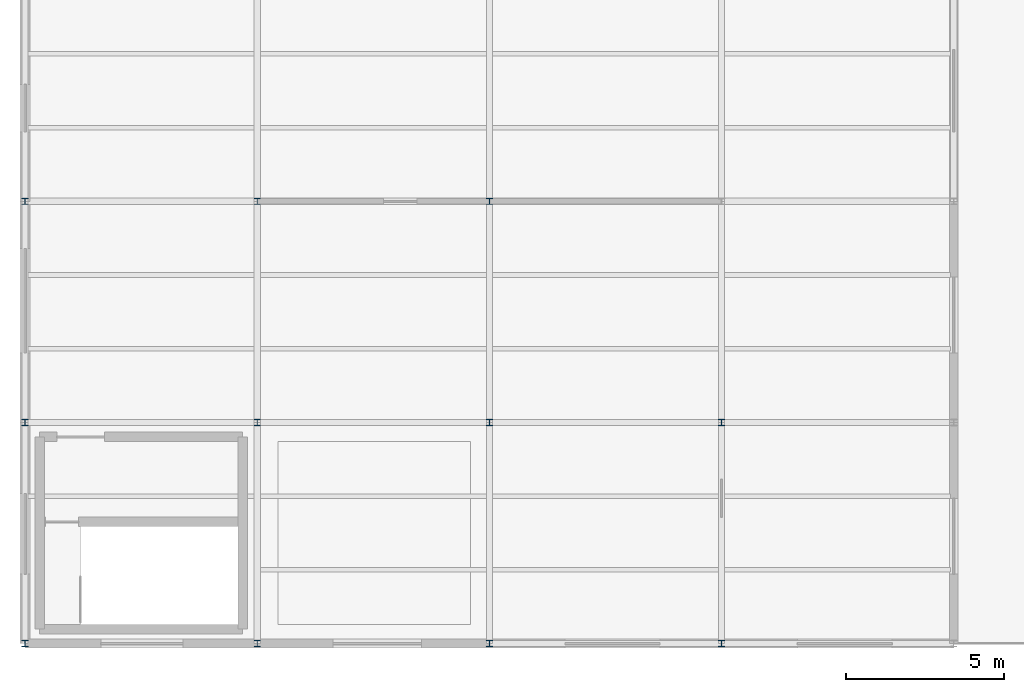
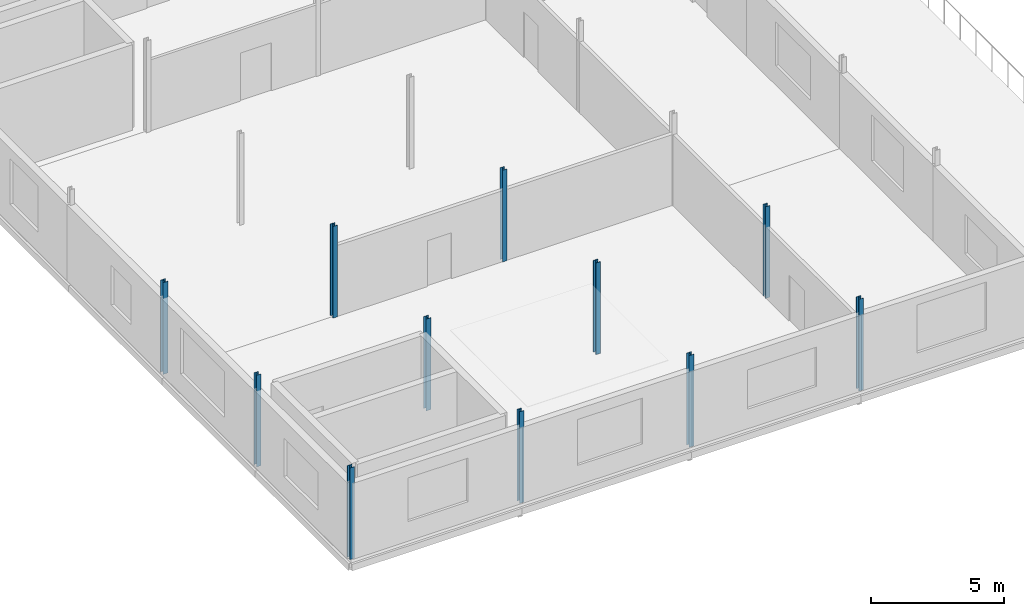
# One storey, part 1 of 10: 11 columns.
"""IFC4 building model written with IfcOpenShell, lengths in metres."""

import ifcopenshell
import ifcopenshell.guid

model = None  # the IFC model being written
_history = None  # IfcOwnerHistory: only IFC2X3 demands one
_inside = {}  # id of a spatial element -> (the spatial element, [elements in it])
_under = {}  # id of a project, library or spatial element -> (it, [spatial elements below it])
_declared = {}  # id of a project -> (the project, [libraries it declares])
_typed = {}  # id of a type object -> (the type object, [elements of that type])
_made_of = {}  # id of a material, layer set ... -> (it, [elements and type objects made of it])


def new_model(schema):
    """Start an empty IFC model of exactly this schema.

    Asked for "IFC4X3", IfcOpenShell would pick the latest addendum, in which some entities
    have other attributes; the version numbers below select the first issue.
    IFC2X3 requires an IfcOwnerHistory on every rooted entity: one is made here for all.
    """
    global model, _history
    if schema == "IFC4X3":
        model = ifcopenshell.file(schema_version=(4, 3, 0, 0))
    else:
        model = ifcopenshell.file(schema=schema)
    _inside.clear()
    _under.clear()
    _declared.clear()
    _typed.clear()
    _made_of.clear()
    _history = None
    if model.schema == "IFC2X3":
        org = make("IfcOrganization", Name="unknown")
        user = make(
            "IfcPersonAndOrganization",
            ThePerson=make("IfcPerson", FamilyName="unknown"),
            TheOrganization=org,
        )
        app = make(
            "IfcApplication",
            ApplicationDeveloper=org,
            Version="unknown",
            ApplicationFullName="unknown",
            ApplicationIdentifier="unknown",
        )
        _history = make(
            "IfcOwnerHistory",
            OwningUser=user,
            OwningApplication=app,
            ChangeAction="ADDED",
            CreationDate=0,
        )
    return model


def make(cls, **values):
    """One entity of the class cls with the attributes given. An attribute that is None is left unset."""
    return model.create_entity(
        cls, **{name: value for name, value in values.items() if value is not None}
    )


def rooted(cls, **values):
    """An entity with a GlobalId (a new one), such as an element, a storey or a relation."""
    return make(cls, GlobalId=ifcopenshell.guid.new(), OwnerHistory=_history, **values)


def si_unit(unit_type, name, prefix=None):
    """IfcSIUnit, for example si_unit("LENGTHUNIT", "METRE", prefix="MILLI")."""
    return make("IfcSIUnit", UnitType=unit_type, Prefix=prefix, Name=name)


def assignment(units):
    """IfcUnitAssignment: the units of a project."""
    return None if units is None else make("IfcUnitAssignment", Units=units)


def point(xyz):
    """IfcCartesianPoint."""
    return None if xyz is None else make("IfcCartesianPoint", Coordinates=xyz)


def direction(xyz):
    """IfcDirection."""
    return None if xyz is None else make("IfcDirection", DirectionRatios=xyz)


def frame(location, z_axis=None, x_axis=None):
    """IfcAxis2Placement3D, a coordinate frame: its origin and axes. An axis left out is left unset."""
    return make(
        "IfcAxis2Placement3D",
        Location=point(location),
        Axis=direction(z_axis),
        RefDirection=direction(x_axis),
    )


def frame_2d(location, x_axis=None):
    """IfcAxis2Placement2D, a coordinate frame in the plane: its origin and x axis."""
    return make(
        "IfcAxis2Placement2D", Location=point(location), RefDirection=direction(x_axis)
    )


def origin():
    """The frame at (0, 0, 0) with its axes left unset."""
    return frame((0.0, 0.0, 0.0))


def origin_2d():
    """The frame at (0, 0) in the plane with its x axis left unset."""
    return frame_2d((0.0, 0.0))


def place(relative_to, where):
    """IfcLocalPlacement: puts the frame where relative to a parent placement (None: the world)."""
    return make(
        "IfcLocalPlacement", PlacementRelTo=relative_to, RelativePlacement=where
    )


def context(
    kind, dimensions, precision=None, world=None, true_north=None, identifier=None
):
    """IfcGeometricRepresentationContext, for example the 3D "Model" context."""
    return make(
        "IfcGeometricRepresentationContext",
        ContextIdentifier=identifier,
        ContextType=kind,
        CoordinateSpaceDimension=dimensions,
        Precision=precision,
        WorldCoordinateSystem=world,
        TrueNorth=true_north,
    )


def subcontext(parent, identifier, kind, view, scale=None):
    """IfcGeometricRepresentationSubContext, for example "Body" below "Model"."""
    return make(
        "IfcGeometricRepresentationSubContext",
        ContextIdentifier=identifier,
        ContextType=kind,
        ParentContext=parent,
        TargetScale=scale,
        TargetView=view,
    )


def project(units=None, contexts=None):
    """IfcProject with its units and contexts."""
    return rooted(
        "IfcProject",
        Name="project",
        RepresentationContexts=contexts,
        UnitsInContext=assignment(units),
    )


def spatial(cls, under=None, at=None, **own):
    """A site, building, storey or space (cls), placed at a placement, below another one or the project."""
    s = rooted(cls, ObjectPlacement=at, **own)
    if under is not None:
        _under.setdefault(under.id(), (under, []))[1].append(s)
    return s


def profile(cls, at=None, kind="AREA", **sizes):
    """A parametric profile (cls). Its sizes go by their IFC names, for example OverallWidth=200.0."""
    return make(cls, ProfileType=kind, Position=at, **sizes)


def i_section(**sizes):
    """IfcIShapeProfileDef."""
    return profile("IfcIShapeProfileDef", **sizes)


def extrude(swept, where, along, depth):
    """IfcExtrudedAreaSolid: the profile swept, set in the frame where, extruded along a direction by depth."""
    return make(
        "IfcExtrudedAreaSolid",
        SweptArea=swept,
        Position=where,
        ExtrudedDirection=direction(along),
        Depth=depth,
    )


def shape(context_of_items, identifier, shape_type, items):
    """IfcShapeRepresentation: the items that make up one representation, for example the "Body"."""
    return make(
        "IfcShapeRepresentation",
        ContextOfItems=context_of_items,
        RepresentationIdentifier=identifier,
        RepresentationType=shape_type,
        Items=items,
    )


def material(Name=None, Category=None):
    """IfcMaterial."""
    return make("IfcMaterial", Name=Name, Category=Category)


def material_profile(
    of_material, cross_section, Name=None, Category=None, Priority=None
):
    """IfcMaterialProfile: a cross section and its material."""
    return make(
        "IfcMaterialProfile",
        Name=Name,
        Material=of_material,
        Profile=cross_section,
        Priority=Priority,
        Category=Category,
    )


def profile_set(profiles, Name=None, composite=None):
    """IfcMaterialProfileSet."""
    return make(
        "IfcMaterialProfileSet",
        Name=Name,
        MaterialProfiles=profiles,
        CompositeProfile=composite,
    )


def made_of(thing, what):
    """Note that an element or type object is made of a material, layer set ...; save() writes the relation."""
    if what is not None:
        _made_of.setdefault(what.id(), (what, []))[1].append(thing)
    return thing


def type_object(cls, material=None, **own):
    """A type object (cls), such as IfcWallType, which elements share."""
    return made_of(rooted(cls, **own), material)


def element(
    cls,
    number,
    at=None,
    inside=None,
    cuts=None,
    type_object=None,
    material=None,
    context=None,
    identifier="Body",
    shape_type=None,
    held_by="IfcProductDefinitionShape",
    body=None,
    shapes=None,
    **own,
):
    """One element of the class cls, such as IfcWall. Its Tag is "e" and its number.

    at: its placement. inside: the storey or other place that contains it. cuts: it is an
    opening in that element (IfcRelVoidsElement). A single representation is given by context,
    identifier, shape_type and body (its items); several are given by shapes. held_by: the class
    of the entity that holds the representations. save() writes the other relations.
    """
    e = rooted(cls, Tag="e%d" % number, ObjectPlacement=at, **own)
    if body is not None:
        shapes = [shape(context, identifier, shape_type, body)]
    if shapes is not None:
        e.Representation = make(held_by, Representations=shapes)
    if inside is not None:
        _inside.setdefault(inside.id(), (inside, []))[1].append(e)
    if cuts is not None:
        rooted(
            "IfcRelVoidsElement", RelatingBuildingElement=cuts, RelatedOpeningElement=e
        )
    if type_object is not None:
        _typed.setdefault(type_object.id(), (type_object, []))[1].append(e)
    return made_of(e, material)


def aggregate(whole, parts):
    """IfcRelAggregates: a whole, such as a stair, and the parts it consists of."""
    return rooted("IfcRelAggregates", RelatingObject=whole, RelatedObjects=parts)


def save(model, path):
    """Write the relations noted so far, then the file.

    IfcRelAggregates (storeys below a building ...), IfcRelContainedInSpatialStructure (elements
    in a storey), IfcRelDefinesByType, IfcRelAssociatesMaterial and IfcRelDeclares: one each for
    every whole, place, type object, material and project.
    """
    for whole, parts in _under.values():
        aggregate(whole, parts)
    for where, things in _inside.values():
        rooted(
            "IfcRelContainedInSpatialStructure",
            RelatedElements=things,
            RelatingStructure=where,
        )
    for kind, things in _typed.values():
        rooted("IfcRelDefinesByType", RelatedObjects=things, RelatingType=kind)
    for what, things in _made_of.values():
        rooted("IfcRelAssociatesMaterial", RelatedObjects=things, RelatingMaterial=what)
    for by, libraries in _declared.values():
        rooted("IfcRelDeclares", RelatingContext=by, RelatedDefinitions=libraries)
    model.write(path)


model = new_model("IFC4")

# Units and contexts
model_context = context("Model", 3, precision=1e-05, world=origin(), true_north=direction((0.0, 1.0)))
body_context = subcontext(model_context, "Body", "Model", "MODEL_VIEW")
ifc_project = project(units=[si_unit("LENGTHUNIT", "METRE"), si_unit("AREAUNIT", "SQUARE_METRE"), si_unit("VOLUMEUNIT", "CUBIC_METRE"), si_unit("PLANEANGLEUNIT", "RADIAN"), si_unit("MASSUNIT", "GRAM", prefix="KILO")], contexts=[model_context])

# Site, building, storey
site_placement = place(None, origin())
site = spatial("IfcSite", under=ifc_project, at=site_placement, CompositionType="ELEMENT")
building_placement = place(site_placement, origin())
building = spatial("IfcBuilding", under=site, at=building_placement, Name="Kazenagashi Tramway Depot", CompositionType="ELEMENT")
storey_placement = place(building_placement, frame((0.0, 0.0, 19.5)))
storey = spatial("IfcBuildingStorey", under=building, at=storey_placement, Name="L05", CompositionType="ELEMENT", Elevation=19.5)

# Columns
ifc_material = material(Name="Steel SN400B", Category="steel")
ifc_material_profile = material_profile(ifc_material, i_section(OverallWidth=0.2, OverallDepth=0.2, WebThickness=0.008, FlangeThickness=0.012, at=origin_2d()), Name="H-200x200x8x12")
ifc_profile_set = profile_set([ifc_material_profile], Name="Steel SN400B")
column_type = type_object("IfcColumnType", Name="C-07", PredefinedType="COLUMN", material=ifc_profile_set)
for number, where, z_axis, x_axis, name in (
    (1, (0.0, 0.0, 0.0), (0.0, 0.0, 1.0), (1.0, 0.0, 0.0), "Column C-07 COL-0533"),
    (2, (0.0, 7.0, 0.0), (0.0, 0.0, 1.0), (1.0, 0.0, 0.0), "Column C-07 COL-0538"),
    (3, (0.0, 14.0, 0.0), (0.0, 0.0, 1.0), (1.0, 0.0, 0.0), "Column C-07 COL-0543"),
    (4, (7.35, 0.0, 0.0), (0.0, 0.0, 1.0), (1.0, 0.0, 0.0), "Column C-07 COL-0578"),
    (5, (7.35, 7.0, 0.0), (0.0, 0.0, 1.0), (1.0, 0.0, 0.0), "Column C-07 COL-0582"),
    (6, (7.35, 14.0, 0.0), (0.0, 0.0, 1.0), (1.0, 0.0, 0.0), "Column C-07 COL-0586"),
    (7, (14.7, 0.0, 0.0), (0.0, 0.0, 1.0), (1.0, 0.0, 0.0), "Column C-07 COL-0620"),
    (8, (14.7, 7.0, 0.0), (0.0, 0.0, 1.0), (1.0, 0.0, 0.0), "Column C-07 COL-0625"),
    (9, (14.7, 14.0, 0.0), (0.0, 0.0, 1.0), (1.0, 0.0, 0.0), "Column C-07 COL-0630"),
    (10, (22.05, 0.0, 0.0), (0.0, 0.0, 1.0), (1.0, 0.0, 0.0), "Column C-07 COL-0665"),
    (11, (22.05, 7.0, 0.0), (0.0, 0.0, 1.0), (1.0, 0.0, 0.0), "Column C-07 COL-0669"),
):
    element("IfcColumn", number, at=place(storey_placement, frame(where, z_axis=z_axis, x_axis=x_axis)), inside=storey, type_object=column_type, Name=name, PredefinedType="COLUMN", context=body_context, shape_type="SweptSolid", body=[
        extrude(i_section(OverallWidth=0.2, OverallDepth=0.2, WebThickness=0.008, FlangeThickness=0.012, at=origin_2d()), origin(), (0.0, 0.0, 1.0), 4.2),
    ])

save(model, "model.ifc")
